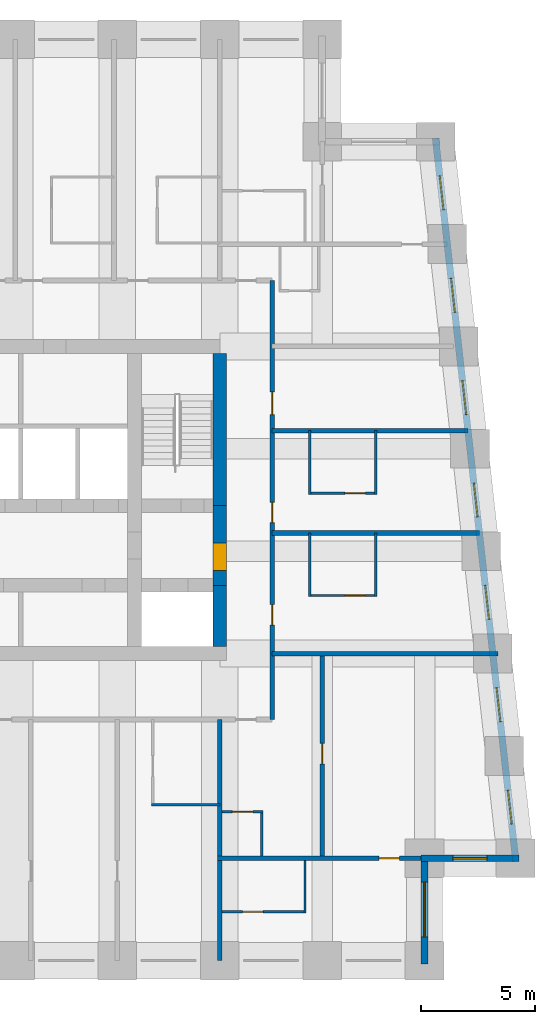
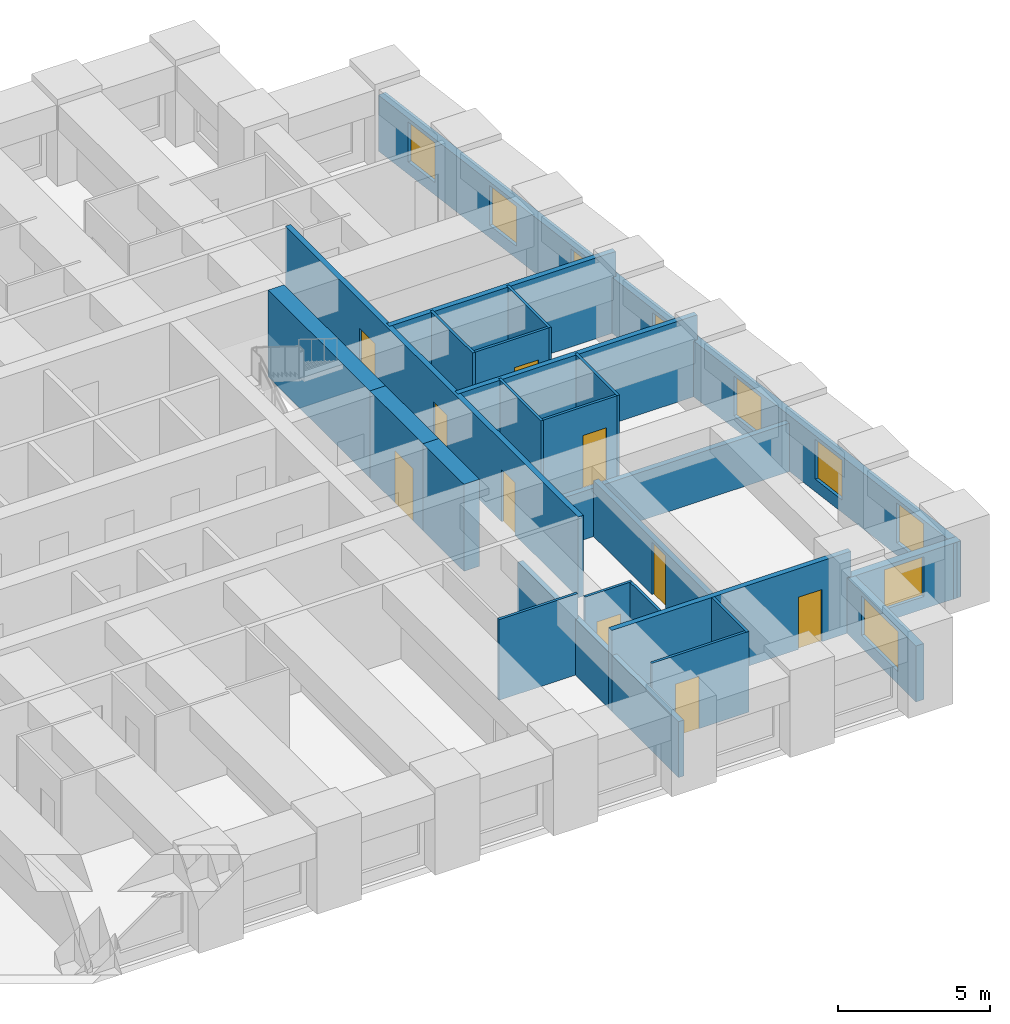
# One storey, part 5 of 8: 24 walls, 10 doors, 9 windows, 19 openings.
"""IFC4 building model written with IfcOpenShell, lengths in metres."""

from ifc_helpers import new_model, si_unit, direction, frame, frame_2d, origin, place, context, subcontext, project, spatial, rectangle, extrude, material, layer, layer_set, type_object, element, fill, save


model = new_model("IFC4")

# Units and contexts
model_context = context("Model", 3, precision=1e-05, world=origin(), true_north=direction((0.0, 1.0)))
body_context = subcontext(model_context, "Body", "Model", "MODEL_VIEW")
ifc_project = project(units=[si_unit("LENGTHUNIT", "METRE"), si_unit("AREAUNIT", "SQUARE_METRE"), si_unit("VOLUMEUNIT", "CUBIC_METRE"), si_unit("PLANEANGLEUNIT", "RADIAN"), si_unit("MASSUNIT", "GRAM", prefix="KILO")], contexts=[model_context])

# Site, building, storey
site_placement = place(None, origin())
site = spatial("IfcSite", under=ifc_project, at=site_placement, CompositionType="ELEMENT")
building_placement = place(site_placement, origin())
building = spatial("IfcBuilding", under=site, at=building_placement, Name="Kilele Tower Hotel", CompositionType="ELEMENT")
storey_placement = place(building_placement, frame((0.0, 0.0, 190.39990234375)))
storey = spatial("IfcBuildingStorey", under=building, at=storey_placement, Name="L49", CompositionType="ELEMENT", Elevation=190.39990234375)

# Walls
ifc_material_1 = material(Name="Moisture-resistant board")
ifc_layer_1 = layer(ifc_material_1, 0.10009765625)
ifc_layer_set_1 = layer_set([ifc_layer_1], Name="Moisture-resistant board")
wall_type_1 = type_object("IfcWallType", Name="Bathroom partition 100", PredefinedType="PLUMBINGWALL", material=ifc_layer_set_1)
wall_1_placement = place(storey_placement, frame((33.0, 6.85009765625, 0.0), z_axis=(0.0, 0.0, 1.0), x_axis=(1.0, 0.0, 0.0)))
element("IfcWall", 1, at=wall_1_placement, inside=storey, type_object=wall_type_1, Name="Bathroom partition 100 L49", PredefinedType="PLUMBINGWALL", context=body_context, shape_type="SweptSolid", body=[
    extrude(rectangle(XDim=3.0, YDim=0.10009765625, at=frame_2d((1.5, 0.0))), origin(), (0.0, 0.0, 1.0), 3.25),
])
for number, where, z_axis, x_axis, name in (
    (2, (39.949951171875, 16.0, 0.0), (0.0, 0.0, 1.0), (0.0, 1.0, 0.0), "Bathroom partition 100 L49"),
    (3, (42.85009765625, 16.0, 0.0), (0.0, 0.0, 1.0), (0.0, 1.0, 0.0), "Bathroom partition 100 L49"),
):
    element("IfcWall", number, at=place(storey_placement, frame(where, z_axis=z_axis, x_axis=x_axis)), inside=storey, type_object=wall_type_1, Name=name, PredefinedType="PLUMBINGWALL", context=body_context, shape_type="SweptSolid", body=[
        extrude(rectangle(XDim=2.800048828125, YDim=0.10009765625, at=frame_2d((1.39990234375, 0.0))), origin(), (0.0, 0.0, 1.0), 3.25),
    ])

# Wall, opening, door
wall_2_placement = place(storey_placement, frame((39.89990234375, 16.050048828125, 0.0), z_axis=(0.0, 0.0, 1.0), x_axis=(1.0, 0.0, 0.0)))
wall_2 = element("IfcWall", 4, at=wall_2_placement, inside=storey, type_object=wall_type_1, Name="Bathroom partition 100 L49", PredefinedType="PLUMBINGWALL", context=body_context, shape_type="SweptSolid", body=[
    extrude(rectangle(XDim=3.0, YDim=0.10009765625, at=frame_2d((1.5, 0.0))), origin(), (0.0, 0.0, 1.0), 3.25),
])
opening_1_placement = place(wall_2_placement, frame((2.5, 0.0, 0.0), z_axis=(0.0, 0.0, 1.0), x_axis=(-1.0, 0.0, 0.0)))
opening_1 = element("IfcOpeningElement", 5, at=opening_1_placement, cuts=wall_2, Name="Opening D2A", PredefinedType="OPENING", context=body_context, shape_type="SweptSolid", body=[
    extrude(rectangle(XDim=0.89990234375, YDim=2.10009765625, at=frame_2d((0.449951171875, 1.050048828125))), frame((0.0, 0.06005859375, 0.0), z_axis=(0.0, -1.0, 0.0), x_axis=(1.0, 0.0, 0.0)), (0.0, 0.0, 1.0), 0.1201171875),
])
ifc_material_2 = material(Name="Timber door leaf in hardwood frame", Category="wood")
door_type_1 = type_object("IfcDoorType", Name="Bathroom door 900", OperationType="SINGLE_SWING_LEFT", PredefinedType="DOOR", material=ifc_material_2)
door_1_placement = place(opening_1_placement, origin())
door_1 = element("IfcDoor", 6, at=door_1_placement, inside=storey, type_object=door_type_1, Name="Bathroom door 4906B", OperationType="SINGLE_SWING_LEFT", OverallHeight=2.10009765625, OverallWidth=0.89990234375, PredefinedType="DOOR", context=body_context, shape_type="SweptSolid", body=[
    extrude(rectangle(XDim=0.89990234375, YDim=2.10009765625, at=frame_2d((0.449951171875, 1.050048828125))), frame((0.0, 0.02490234375, 0.0), z_axis=(0.0, -1.0, 0.0), x_axis=(1.0, 0.0, 0.0)), (0.0, 0.0, 1.0), 0.050048828125),
])
fill(opening_1, door_1)

# Walls
for number, where, z_axis, x_axis, name in (
    (7, (39.949951171875, 20.5, 0.0), (0.0, 0.0, 1.0), (0.0, 1.0, 0.0), "Bathroom partition 100 L49"),
    (8, (42.85009765625, 20.5, 0.0), (0.0, 0.0, 1.0), (0.0, 1.0, 0.0), "Bathroom partition 100 L49"),
):
    element("IfcWall", number, at=place(storey_placement, frame(where, z_axis=z_axis, x_axis=x_axis)), inside=storey, type_object=wall_type_1, Name=name, PredefinedType="PLUMBINGWALL", context=body_context, shape_type="SweptSolid", body=[
        extrude(rectangle(XDim=2.800048828125, YDim=0.10009765625, at=frame_2d((1.39990234375, 0.0))), origin(), (0.0, 0.0, 1.0), 3.25),
    ])

# Wall, opening, door
wall_3_placement = place(storey_placement, frame((39.89990234375, 20.550048828125, 0.0), z_axis=(0.0, 0.0, 1.0), x_axis=(1.0, 0.0, 0.0)))
wall_3 = element("IfcWall", 9, at=wall_3_placement, inside=storey, type_object=wall_type_1, Name="Bathroom partition 100 L49", PredefinedType="PLUMBINGWALL", context=body_context, shape_type="SweptSolid", body=[
    extrude(rectangle(XDim=3.0, YDim=0.10009765625, at=frame_2d((1.5, 0.0))), origin(), (0.0, 0.0, 1.0), 3.25),
])
opening_2_placement = place(wall_3_placement, frame((2.5, 0.0, 0.0), z_axis=(0.0, 0.0, 1.0), x_axis=(-1.0, 0.0, 0.0)))
opening_2 = element("IfcOpeningElement", 10, at=opening_2_placement, cuts=wall_3, Name="Opening D2A", PredefinedType="OPENING", context=body_context, shape_type="SweptSolid", body=[
    extrude(rectangle(XDim=0.89990234375, YDim=2.10009765625, at=frame_2d((0.449951171875, 1.050048828125))), frame((0.0, 0.06005859375, 0.0), z_axis=(0.0, -1.0, 0.0), x_axis=(1.0, 0.0, 0.0)), (0.0, 0.0, 1.0), 0.1201171875),
])
door_2_placement = place(opening_2_placement, origin())
door_2 = element("IfcDoor", 11, at=door_2_placement, inside=storey, type_object=door_type_1, Name="Bathroom door 4907B", OperationType="SINGLE_SWING_LEFT", OverallHeight=2.10009765625, OverallWidth=0.89990234375, PredefinedType="DOOR", context=body_context, shape_type="SweptSolid", body=[
    extrude(rectangle(XDim=0.89990234375, YDim=2.10009765625, at=frame_2d((0.449951171875, 1.050048828125))), frame((0.0, 0.02490234375, 0.0), z_axis=(0.0, -1.0, 0.0), x_axis=(1.0, 0.0, 0.0)), (0.0, 0.0, 1.0), 0.050048828125),
])
fill(opening_2, door_2)

# Wall
wall_4_placement = place(storey_placement, frame((37.85009765625, 4.60009765625, 0.0), z_axis=(0.0, 0.0, 1.0), x_axis=(0.0, 1.0, 0.0)))
element("IfcWall", 12, at=wall_4_placement, inside=storey, type_object=wall_type_1, Name="Bathroom partition 100 L49", PredefinedType="PLUMBINGWALL", context=body_context, shape_type="SweptSolid", body=[
    extrude(rectangle(XDim=2.0, YDim=0.10009765625, at=frame_2d((1.0, 0.0))), origin(), (0.0, 0.0, 1.0), 3.25),
])

# Wall, opening, door
wall_5_placement = place(storey_placement, frame((36.10009765625, 6.550048828125, 0.0), z_axis=(0.0, 0.0, 1.0), x_axis=(1.0, 0.0, 0.0)))
wall_5 = element("IfcWall", 13, at=wall_5_placement, inside=storey, type_object=wall_type_1, Name="Bathroom partition 100 L49", PredefinedType="PLUMBINGWALL", context=body_context, shape_type="SweptSolid", body=[
    extrude(rectangle(XDim=1.7998046875, YDim=0.10009765625, at=frame_2d((0.89990234375, 0.0))), origin(), (0.0, 0.0, 1.0), 3.25),
])
opening_3_placement = place(wall_5_placement, frame((0.449951171875, 0.0, 0.0)))
opening_3 = element("IfcOpeningElement", 14, at=opening_3_placement, cuts=wall_5, Name="Opening D2A", PredefinedType="OPENING", context=body_context, shape_type="SweptSolid", body=[
    extrude(rectangle(XDim=0.89990234375, YDim=2.10009765625, at=frame_2d((0.449951171875, 1.050048828125))), frame((0.0, 0.06005859375, 0.0), z_axis=(0.0, -1.0, 0.0), x_axis=(1.0, 0.0, 0.0)), (0.0, 0.0, 1.0), 0.1201171875),
])
door_3_placement = place(opening_3_placement, origin())
door_3 = element("IfcDoor", 15, at=door_3_placement, inside=storey, type_object=door_type_1, Name="Bathroom door 4919P", OperationType="SINGLE_SWING_LEFT", OverallHeight=2.10009765625, OverallWidth=0.89990234375, PredefinedType="DOOR", context=body_context, shape_type="SweptSolid", body=[
    extrude(rectangle(XDim=0.89990234375, YDim=2.10009765625, at=frame_2d((0.449951171875, 1.050048828125))), frame((0.0, 0.02490234375, 0.0), z_axis=(0.0, -1.0, 0.0), x_axis=(1.0, 0.0, 0.0)), (0.0, 0.0, 1.0), 0.050048828125),
])
fill(opening_3, door_3)

# Wall
wall_6_placement = place(storey_placement, frame((39.75, 4.39990234375, 0.0), z_axis=(0.0, 0.0, 1.0), x_axis=(0.0, -1.0, 0.0)))
element("IfcWall", 16, at=wall_6_placement, inside=storey, type_object=wall_type_1, Name="Bathroom partition 100 L49", PredefinedType="PLUMBINGWALL", context=body_context, shape_type="SweptSolid", body=[
    extrude(rectangle(XDim=2.2998046875, YDim=0.10009765625, at=frame_2d((1.14990234375, 0.0))), origin(), (0.0, 0.0, 1.0), 3.25),
])

# Wall, opening, door
wall_7_placement = place(storey_placement, frame((36.10009765625, 2.14990234375, 0.0), z_axis=(0.0, 0.0, 1.0), x_axis=(1.0, 0.0, 0.0)))
wall_7 = element("IfcWall", 17, at=wall_7_placement, inside=storey, type_object=wall_type_1, Name="Bathroom partition 100 L49", PredefinedType="PLUMBINGWALL", context=body_context, shape_type="SweptSolid", body=[
    extrude(rectangle(XDim=3.699951171875, YDim=0.10009765625, at=frame_2d((1.85009765625, 0.0))), origin(), (0.0, 0.0, 1.0), 3.25),
])
opening_4_placement = place(wall_7_placement, frame((1.7998046875, 0.0, 0.0), z_axis=(0.0, 0.0, 1.0), x_axis=(-1.0, 0.0, 0.0)))
opening_4 = element("IfcOpeningElement", 18, at=opening_4_placement, cuts=wall_7, Name="Opening D2A", PredefinedType="OPENING", context=body_context, shape_type="SweptSolid", body=[
    extrude(rectangle(XDim=0.89990234375, YDim=2.10009765625, at=frame_2d((0.449951171875, 1.050048828125))), frame((0.0, 0.06005859375, 0.0), z_axis=(0.0, -1.0, 0.0), x_axis=(1.0, 0.0, 0.0)), (0.0, 0.0, 1.0), 0.1201171875),
])
door_4_placement = place(opening_4_placement, origin())
door_4 = element("IfcDoor", 19, at=door_4_placement, inside=storey, type_object=door_type_1, Name="Bathroom door 4921B", OperationType="SINGLE_SWING_RIGHT", OverallHeight=2.10009765625, OverallWidth=0.89990234375, PredefinedType="DOOR", context=body_context, shape_type="SweptSolid", body=[
    extrude(rectangle(XDim=0.89990234375, YDim=2.10009765625, at=frame_2d((0.449951171875, 1.050048828125))), frame((0.0, 0.02490234375, 0.0), z_axis=(0.0, -1.0, 0.0), x_axis=(1.0, 0.0, 0.0)), (0.0, 0.0, 1.0), 0.050048828125),
])
fill(opening_4, door_4)

# Wall
ifc_material_3 = material(Name="Concrete C70/85", Category="concrete")
ifc_layer_2 = layer(ifc_material_3, 0.60009765625)
ifc_layer_set_2 = layer_set([ifc_layer_2], Name="Concrete C70/85")
wall_type_2 = type_object("IfcWallType", Name="Core wall 600 C70/85", PredefinedType="SHEAR", material=ifc_layer_set_2)
wall_8_placement = place(storey_placement, frame((36.0, 13.800048828125, 0.0), z_axis=(0.0, 0.0, 1.0), x_axis=(0.0, 1.0, 0.0)))
element("IfcWall", 20, at=wall_8_placement, inside=storey, type_object=wall_type_2, Name="Core wall E1 L49", PredefinedType="SHEAR", context=body_context, shape_type="SweptSolid", body=[
    extrude(rectangle(XDim=2.699951171875, YDim=0.60009765625, at=frame_2d((1.35009765625, 0.0))), origin(), (0.0, 0.0, 1.0), 3.5),
])

# Wall, opening, door
wall_9_placement = place(storey_placement, frame((36.0, 16.5, 0.0), z_axis=(0.0, 0.0, 1.0), x_axis=(0.0, 1.0, 0.0)))
wall_9 = element("IfcWall", 21, at=wall_9_placement, inside=storey, type_object=wall_type_2, Name="Core wall E2 L49", PredefinedType="SHEAR", context=body_context, shape_type="SweptSolid", body=[
    extrude(rectangle(XDim=3.5, YDim=0.60009765625, at=frame_2d((1.75, 0.0))), origin(), (0.0, 0.0, 1.0), 3.5),
])
opening_5_placement = place(wall_9_placement, frame((0.64990234375, 0.0, 0.0)))
opening_5 = element("IfcOpeningElement", 22, at=opening_5_placement, cuts=wall_9, Name="Opening D4", PredefinedType="OPENING", context=body_context, shape_type="SweptSolid", body=[
    extrude(rectangle(XDim=1.199951171875, YDim=2.10009765625, at=frame_2d((0.60009765625, 1.050048828125))), frame((0.0, 0.31005859375, 0.0), z_axis=(0.0, -1.0, 0.0), x_axis=(1.0, 0.0, 0.0)), (0.0, 0.0, 1.0), 0.6201171875),
])
ifc_material_4 = material(Name="Timber door leaf in hardwood frame", Category="wood")
door_type_2 = type_object("IfcDoorType", Name="Firefighting lobby door 1200", OperationType="SINGLE_SWING_LEFT", PredefinedType="DOOR", material=ifc_material_4)
door_5_placement = place(opening_5_placement, origin())
door_5 = element("IfcDoor", 23, at=door_5_placement, inside=storey, type_object=door_type_2, Name="Lobby door L49", OperationType="SINGLE_SWING_LEFT", OverallHeight=2.10009765625, OverallWidth=1.199951171875, PredefinedType="DOOR", context=body_context, shape_type="SweptSolid", body=[
    extrude(rectangle(XDim=1.199951171875, YDim=2.10009765625, at=frame_2d((0.60009765625, 1.050048828125))), frame((0.0, 0.2998046875, 0.0), z_axis=(0.0, -1.0, 0.0), x_axis=(1.0, 0.0, 0.0)), (0.0, 0.0, 1.0), 0.599609375),
])
fill(opening_5, door_5)

# Wall
wall_10_placement = place(storey_placement, frame((36.0, 20.0, 0.0), z_axis=(0.0, 0.0, 1.0), x_axis=(0.0, 1.0, 0.0)))
element("IfcWall", 24, at=wall_10_placement, inside=storey, type_object=wall_type_2, Name="Core wall E3 L49", PredefinedType="SHEAR", context=body_context, shape_type="SweptSolid", body=[
    extrude(rectangle(XDim=6.699951171875, YDim=0.60009765625, at=frame_2d((3.35009765625, 0.0))), origin(), (0.0, 0.0, 1.0), 3.5),
])

# Wall, openings, doors
ifc_material_5 = material(Name="Blockwork, plastered both sides", Category="masonry")
ifc_layer_3 = layer(ifc_material_5, 0.199951171875)
ifc_layer_set_3 = layer_set([ifc_layer_3], Name="Blockwork, plastered both sides")
wall_type_3 = type_object("IfcWallType", Name="Corridor wall 200", PredefinedType="PARTITIONING", material=ifc_layer_set_3)
wall_11_placement = place(storey_placement, frame((38.300048828125, 10.60009765625, 0.0), z_axis=(0.0, 0.0, 1.0), x_axis=(0.0, 1.0, 0.0)))
wall_11 = element("IfcWall", 25, at=wall_11_placement, inside=storey, type_object=wall_type_3, Name="Corridor wall 200 L49", PredefinedType="PARTITIONING", context=body_context, shape_type="SweptSolid", body=[
    extrude(rectangle(XDim=19.2998046875, YDim=0.199951171875, at=frame_2d((9.64990234375, 0.0))), origin(), (0.0, 0.0, 1.0), 3.25),
])
opening_6_placement = place(wall_11_placement, frame((5.0498046875, 0.0, 0.0), z_axis=(0.0, 0.0, 1.0), x_axis=(-1.0, 0.0, 0.0)))
opening_6 = element("IfcOpeningElement", 26, at=opening_6_placement, cuts=wall_11, Name="Opening D1", PredefinedType="OPENING", context=body_context, shape_type="SweptSolid", body=[
    extrude(rectangle(XDim=0.89990234375, YDim=2.10009765625, at=frame_2d((0.449951171875, 1.050048828125))), frame((0.0, 0.10986328125, 0.0), z_axis=(0.0, -1.0, 0.0), x_axis=(1.0, 0.0, 0.0)), (0.0, 0.0, 1.0), 0.219970703125),
])
opening_7_placement = place(wall_11_placement, frame((9.5498046875, 0.0, 0.0), z_axis=(0.0, 0.0, 1.0), x_axis=(-1.0, 0.0, 0.0)))
opening_7 = element("IfcOpeningElement", 27, at=opening_7_placement, cuts=wall_11, Name="Opening D1", PredefinedType="OPENING", context=body_context, shape_type="SweptSolid", body=[
    extrude(rectangle(XDim=0.89990234375, YDim=2.10009765625, at=frame_2d((0.449951171875, 1.050048828125))), frame((0.0, 0.10986328125, 0.0), z_axis=(0.0, -1.0, 0.0), x_axis=(1.0, 0.0, 0.0)), (0.0, 0.0, 1.0), 0.219970703125),
])
opening_8_placement = place(wall_11_placement, frame((14.39990234375, 0.0, 0.0), z_axis=(0.0, 0.0, 1.0), x_axis=(-1.0, 0.0, 0.0)))
opening_8 = element("IfcOpeningElement", 28, at=opening_8_placement, cuts=wall_11, Name="Opening D8", PredefinedType="OPENING", context=body_context, shape_type="SweptSolid", body=[
    extrude(rectangle(XDim=1.0, YDim=2.10009765625, at=frame_2d((0.5, 1.050048828125))), frame((0.0, 0.10986328125, 0.0), z_axis=(0.0, -1.0, 0.0), x_axis=(1.0, 0.0, 0.0)), (0.0, 0.0, 1.0), 0.219970703125),
])
ifc_material_6 = material(Name="Timber door leaf in hardwood frame", Category="wood")
door_type_3 = type_object("IfcDoorType", Name="Door 1000", OperationType="SINGLE_SWING_LEFT", PredefinedType="DOOR", material=ifc_material_6)
door_6_placement = place(opening_8_placement, origin())
door_6 = element("IfcDoor", 29, at=door_6_placement, inside=storey, type_object=door_type_3, Name="Room entrance 4908", OperationType="SINGLE_SWING_RIGHT", OverallHeight=2.10009765625, OverallWidth=1.0, PredefinedType="DOOR", context=body_context, shape_type="SweptSolid", body=[
    extrude(rectangle(XDim=1.0, YDim=2.10009765625, at=frame_2d((0.5, 1.050048828125))), frame((0.0, 0.02490234375, 0.0), z_axis=(0.0, -1.0, 0.0), x_axis=(1.0, 0.0, 0.0)), (0.0, 0.0, 1.0), 0.050048828125),
])
fill(opening_8, door_6)
ifc_material_7 = material(Name="Timber door leaf in hardwood frame", Category="wood")
door_type_4 = type_object("IfcDoorType", Name="Guest room entrance door 900", OperationType="SINGLE_SWING_LEFT", PredefinedType="DOOR", material=ifc_material_7)
door_7_placement = place(opening_6_placement, origin())
door_7 = element("IfcDoor", 30, at=door_7_placement, inside=storey, type_object=door_type_4, Name="Room entrance 4906", OperationType="SINGLE_SWING_RIGHT", OverallHeight=2.10009765625, OverallWidth=0.89990234375, PredefinedType="DOOR", context=body_context, shape_type="SweptSolid", body=[
    extrude(rectangle(XDim=0.89990234375, YDim=2.10009765625, at=frame_2d((0.449951171875, 1.050048828125))), frame((0.0, 0.02490234375, 0.0), z_axis=(0.0, -1.0, 0.0), x_axis=(1.0, 0.0, 0.0)), (0.0, 0.0, 1.0), 0.050048828125),
])
fill(opening_6, door_7)
door_8_placement = place(opening_7_placement, origin())
door_8 = element("IfcDoor", 31, at=door_8_placement, inside=storey, type_object=door_type_4, Name="Room entrance 4907", OperationType="SINGLE_SWING_RIGHT", OverallHeight=2.10009765625, OverallWidth=0.89990234375, PredefinedType="DOOR", context=body_context, shape_type="SweptSolid", body=[
    extrude(rectangle(XDim=0.89990234375, YDim=2.10009765625, at=frame_2d((0.449951171875, 1.050048828125))), frame((0.0, 0.02490234375, 0.0), z_axis=(0.0, -1.0, 0.0), x_axis=(1.0, 0.0, 0.0)), (0.0, 0.0, 1.0), 0.050048828125),
])
fill(opening_7, door_8)

# Wall, opening, door
ifc_material_8 = material(Name="Blockwork, plastered both sides", Category="masonry")
ifc_layer_4 = layer(ifc_material_8, 0.199951171875)
ifc_layer_set_4 = layer_set([ifc_layer_4], Name="Blockwork, plastered both sides")
wall_type_4 = type_object("IfcWallType", Name="Partition wall 200", PredefinedType="PARTITIONING", material=ifc_layer_set_4)
wall_12_placement = place(storey_placement, frame((40.5, 4.60009765625, 0.0), z_axis=(0.0, 0.0, 1.0), x_axis=(0.0, 1.0, 0.0)))
wall_12 = element("IfcWall", 32, at=wall_12_placement, inside=storey, type_object=wall_type_4, Name="Partition wall 200 L49", PredefinedType="PARTITIONING", context=body_context, shape_type="SweptSolid", body=[
    extrude(rectangle(XDim=8.7998046875, YDim=0.199951171875, at=frame_2d((4.39990234375, 0.0))), origin(), (0.0, 0.0, 1.0), 2.25),
])
opening_9_placement = place(wall_12_placement, frame((4.050048828125, 0.0, 0.0)))
opening_9 = element("IfcOpeningElement", 33, at=opening_9_placement, cuts=wall_12, Name="Opening D3", PredefinedType="OPENING", context=body_context, shape_type="SweptSolid", body=[
    extrude(rectangle(XDim=0.89990234375, YDim=2.10009765625, at=frame_2d((0.449951171875, 1.050048828125))), frame((0.0, 0.10986328125, 0.0), z_axis=(0.0, -1.0, 0.0), x_axis=(1.0, 0.0, 0.0)), (0.0, 0.0, 1.0), 0.219970703125),
])
ifc_material_9 = material(Name="Timber door leaf in hardwood frame", Category="wood")
door_type_5 = type_object("IfcDoorType", Name="Suite internal door 900", OperationType="SINGLE_SWING_LEFT", PredefinedType="DOOR", material=ifc_material_9)
door_9_placement = place(opening_9_placement, origin())
door_9 = element("IfcDoor", 34, at=door_9_placement, inside=storey, type_object=door_type_5, Name="Suite door 4920", OperationType="SINGLE_SWING_RIGHT", OverallHeight=2.10009765625, OverallWidth=0.89990234375, PredefinedType="DOOR", context=body_context, shape_type="SweptSolid", body=[
    extrude(rectangle(XDim=0.89990234375, YDim=2.10009765625, at=frame_2d((0.449951171875, 1.050048828125))), frame((0.0, 0.02490234375, 0.0), z_axis=(0.0, -1.0, 0.0), x_axis=(1.0, 0.0, 0.0)), (0.0, 0.0, 1.0), 0.050048828125),
])
fill(opening_9, door_9)

# Walls
ifc_material_10 = material(Name="Blockwork, plastered both sides", Category="masonry")
ifc_layer_5 = layer(ifc_material_10, 0.199951171875)
ifc_layer_set_5 = layer_set([ifc_layer_5], Name="Blockwork, plastered both sides")
wall_type_5 = type_object("IfcWallType", Name="Party wall 200", PredefinedType="PARTITIONING", material=ifc_layer_set_5)
wall_13_placement = place(storey_placement, frame((38.300048828125, 18.800048828125, 0.0), z_axis=(0.0, 0.0, 1.0), x_axis=(1.0, 0.0, 0.0)))
element("IfcWall", 35, at=wall_13_placement, inside=storey, type_object=wall_type_5, Name="Party wall 200 L49", PredefinedType="PARTITIONING", context=body_context, shape_type="SweptSolid", body=[
    extrude(rectangle(XDim=9.110107421875, YDim=0.199951171875, at=frame_2d((4.55517578125, 0.0))), origin(), (0.0, 0.0, 1.0), 3.25),
])
wall_14_placement = place(storey_placement, frame((38.300048828125, 23.300048828125, 0.0), z_axis=(0.0, 0.0, 1.0), x_axis=(1.0, 0.0, 0.0)))
element("IfcWall", 36, at=wall_14_placement, inside=storey, type_object=wall_type_5, Name="Party wall 200 L49", PredefinedType="PARTITIONING", context=body_context, shape_type="SweptSolid", body=[
    extrude(rectangle(XDim=8.610107421875, YDim=0.199951171875, at=frame_2d((4.30517578125, 0.0))), origin(), (0.0, 0.0, 1.0), 3.25),
])
wall_15_placement = place(storey_placement, frame((38.300048828125, 13.5, 0.0), z_axis=(0.0, 0.0, 1.0), x_axis=(1.0, 0.0, 0.0)))
element("IfcWall", 37, at=wall_15_placement, inside=storey, type_object=wall_type_5, Name="Party wall 200 L49", PredefinedType="PARTITIONING", context=body_context, shape_type="SweptSolid", body=[
    extrude(rectangle(XDim=9.921142578125, YDim=0.199951171875, at=frame_2d((4.96044921875, 0.0))), origin(), (0.0, 0.0, 1.0), 1.9501953125),
])
wall_16_placement = place(storey_placement, frame((36.0, 10.60009765625, 0.0), z_axis=(0.0, 0.0, 1.0), x_axis=(0.0, -1.0, 0.0)))
element("IfcWall", 38, at=wall_16_placement, inside=storey, type_object=wall_type_5, Name="Party wall 200 L49", PredefinedType="PARTITIONING", context=body_context, shape_type="SweptSolid", body=[
    extrude(rectangle(XDim=10.60009765625, YDim=0.199951171875, at=frame_2d((5.300048828125, 0.0))), origin(), (0.0, 0.0, 1.0), 2.25),
])

# Wall, opening, door
wall_17_placement = place(storey_placement, frame((35.89990234375, 4.5, 0.0), z_axis=(0.0, 0.0, 1.0), x_axis=(1.0, 0.0, 0.0)))
wall_17 = element("IfcWall", 39, at=wall_17_placement, inside=storey, type_object=wall_type_5, Name="Party wall 200 L49", PredefinedType="PARTITIONING", context=body_context, shape_type="SweptSolid", body=[
    extrude(rectangle(XDim=9.10009765625, YDim=0.199951171875, at=frame_2d((4.550048828125, 0.0))), origin(), (0.0, 0.0, 1.0), 3.25),
])
opening_10_placement = place(wall_17_placement, frame((7.10009765625, 0.0, 0.0)))
opening_10 = element("IfcOpeningElement", 40, at=opening_10_placement, cuts=wall_17, Name="Opening D3", PredefinedType="OPENING", context=body_context, shape_type="SweptSolid", body=[
    extrude(rectangle(XDim=0.89990234375, YDim=2.10009765625, at=frame_2d((0.449951171875, 1.050048828125))), frame((0.0, 0.10986328125, 0.0), z_axis=(0.0, -1.0, 0.0), x_axis=(1.0, 0.0, 0.0)), (0.0, 0.0, 1.0), 0.219970703125),
])
door_10_placement = place(opening_10_placement, origin())
door_10 = element("IfcDoor", 41, at=door_10_placement, inside=storey, type_object=door_type_5, Name="Suite door 4921", OperationType="SINGLE_SWING_RIGHT", OverallHeight=2.10009765625, OverallWidth=0.89990234375, PredefinedType="DOOR", context=body_context, shape_type="SweptSolid", body=[
    extrude(rectangle(XDim=0.89990234375, YDim=2.10009765625, at=frame_2d((0.449951171875, 1.050048828125))), frame((0.0, 0.02490234375, 0.0), z_axis=(0.0, -1.0, 0.0), x_axis=(1.0, 0.0, 0.0)), (0.0, 0.0, 1.0), 0.050048828125),
])
fill(opening_10, door_10)

# Wall, opening, window
ifc_material_11 = material(Name="Concrete C40/50 precast", Category="concrete")
ifc_layer_6 = layer(ifc_material_11, 0.260009765625, Name="Precast backing", Category="LoadBearing")
ifc_material_12 = material(Name="Reconstituted stone finish", Category="masonry")
ifc_layer_7 = layer(ifc_material_12, 0.0400390625, Name="Face mix", Category="Finish")
ifc_layer_set_6 = layer_set([ifc_layer_6, ifc_layer_7], Name="Precast concrete C40/50, reconstituted stone finish")
wall_type_6 = type_object("IfcWallType", Name="Precast stone facade wall 300", PredefinedType="STANDARD", material=ifc_layer_set_6)
wall_18_placement = place(storey_placement, frame((45.0, -0.14990234375, 0.0), z_axis=(0.0, 0.0, 1.0), x_axis=(0.0, 1.0, 0.0)))
wall_18 = element("IfcWall", 42, at=wall_18_placement, inside=storey, type_object=wall_type_6, Name="Facade wall L49 edge 4", PredefinedType="STANDARD", context=body_context, shape_type="SweptSolid", body=[
    extrude(rectangle(XDim=4.7998046875, YDim=0.300048828125, at=frame_2d((2.39990234375, 0.0))), origin(), (0.0, 0.0, 1.0), 2.25),
])
opening_11_placement = place(wall_18_placement, frame((1.199951171875, 0.0, 0.5)))
opening_11 = element("IfcOpeningElement", 43, at=opening_11_placement, cuts=wall_18, Name="Opening W3", PredefinedType="OPENING", context=body_context, shape_type="SweptSolid", body=[
    extrude(rectangle(XDim=2.39990234375, YDim=1.60009765625, at=frame_2d((1.199951171875, 0.800048828125))), frame((0.0, 0.159912109375, 0.0), z_axis=(0.0, -1.0, 0.0), x_axis=(1.0, 0.0, 0.0)), (0.0, 0.0, 1.0), 0.320068359375),
])
ifc_material_13 = material(Name="Aluminium frame, clear double glazing", Category="aluminium")
window_type_1 = type_object("IfcWindowType", Name="Window W3 2400 x 1600", PartitioningType="SINGLE_PANEL", PredefinedType="WINDOW", material=ifc_material_13)
window_1_placement = place(opening_11_placement, origin())
window_1 = element("IfcWindow", 44, at=window_1_placement, inside=storey, type_object=window_type_1, Name="Window L49", OverallHeight=1.60009765625, OverallWidth=2.39990234375, PartitioningType="SINGLE_PANEL", PredefinedType="WINDOW", context=body_context, shape_type="SweptSolid", body=[
    extrude(rectangle(XDim=2.39990234375, YDim=1.60009765625, at=frame_2d((1.199951171875, 0.800048828125))), frame((0.0, 0.030029296875, 0.0), z_axis=(0.0, -1.0, 0.0), x_axis=(1.0, 0.0, 0.0)), (0.0, 0.0, 1.0), 0.06005859375),
])
fill(opening_11, window_1)

wall_19_placement = place(storey_placement, frame((44.85009765625, 4.5, 0.0), z_axis=(0.0, 0.0, 1.0), x_axis=(1.0, 0.0, 0.0)))
wall_19 = element("IfcWall", 45, at=wall_19_placement, inside=storey, type_object=wall_type_6, Name="Facade wall L49 edge 5", PredefinedType="STANDARD", context=body_context, shape_type="SweptSolid", body=[
    extrude(rectangle(XDim=4.2998046875, YDim=0.300048828125, at=frame_2d((2.14990234375, 0.0))), origin(), (0.0, 0.0, 1.0), 2.25),
])
opening_12_placement = place(wall_19_placement, frame((1.39990234375, 0.0, 0.5)))
opening_12 = element("IfcOpeningElement", 46, at=opening_12_placement, cuts=wall_19, Name="Opening W3", PredefinedType="OPENING", context=body_context, shape_type="SweptSolid", body=[
    extrude(rectangle(XDim=1.5, YDim=1.60009765625, at=frame_2d((0.75, 0.800048828125))), frame((0.0, 0.159912109375, 0.0), z_axis=(0.0, -1.0, 0.0), x_axis=(1.0, 0.0, 0.0)), (0.0, 0.0, 1.0), 0.320068359375),
])
ifc_material_14 = material(Name="Aluminium frame, clear double glazing", Category="aluminium")
window_type_2 = type_object("IfcWindowType", Name="Window W3 1500 x 1600", PartitioningType="SINGLE_PANEL", PredefinedType="WINDOW", material=ifc_material_14)
window_2_placement = place(opening_12_placement, origin())
window_2 = element("IfcWindow", 47, at=window_2_placement, inside=storey, type_object=window_type_2, Name="Window L49", OverallHeight=1.60009765625, OverallWidth=1.5, PartitioningType="SINGLE_PANEL", PredefinedType="WINDOW", context=body_context, shape_type="SweptSolid", body=[
    extrude(rectangle(XDim=1.5, YDim=1.60009765625, at=frame_2d((0.75, 0.800048828125))), frame((0.0, 0.030029296875, 0.0), z_axis=(0.0, -1.0, 0.0), x_axis=(1.0, 0.0, 0.0)), (0.0, 0.0, 1.0), 0.06005859375),
])
fill(opening_12, window_2)

# Wall, openings, windows
wall_20_placement = place(storey_placement, frame((49.0166015625, 4.350830078125, 0.0), z_axis=(0.0, 0.0, 1.0), x_axis=(-0.110433201132, 0.993883548555, 0.0)))
wall_20 = element("IfcWall", 48, at=wall_20_placement, inside=storey, type_object=wall_type_6, Name="Facade wall L49 edge 6", PredefinedType="STANDARD", context=body_context, shape_type="SweptSolid", body=[
    extrude(rectangle(XDim=31.994140625, YDim=0.300048828125, at=frame_2d((15.9970703125, 0.0))), origin(), (0.0, 0.0, 1.0), 2.25),
])
opening_13_placement = place(wall_20_placement, frame((1.6640625, 0.0, 0.5)))
opening_13 = element("IfcOpeningElement", 49, at=opening_13_placement, cuts=wall_20, Name="Opening W3", PredefinedType="OPENING", context=body_context, shape_type="SweptSolid", body=[
    extrude(rectangle(XDim=1.5, YDim=1.60009765625, at=frame_2d((0.75, 0.800048828125))), frame((0.0, 0.159912109375, 0.0), z_axis=(0.0, -1.0, 0.0), x_axis=(1.0, 0.0, 0.0)), (0.0, 0.0, 1.0), 0.320068359375),
])
opening_14_placement = place(wall_20_placement, frame((6.19189453125, 0.0, 0.5)))
opening_14 = element("IfcOpeningElement", 50, at=opening_14_placement, cuts=wall_20, Name="Opening W3", PredefinedType="OPENING", context=body_context, shape_type="SweptSolid", body=[
    extrude(rectangle(XDim=1.5, YDim=1.60009765625, at=frame_2d((0.75, 0.800048828125))), frame((0.0, 0.159912109375, 0.0), z_axis=(0.0, -1.0, 0.0), x_axis=(1.0, 0.0, 0.0)), (0.0, 0.0, 1.0), 0.320068359375),
])
opening_15_placement = place(wall_20_placement, frame((10.718994140625, 0.0, 0.5)))
opening_15 = element("IfcOpeningElement", 51, at=opening_15_placement, cuts=wall_20, Name="Opening W3", PredefinedType="OPENING", context=body_context, shape_type="SweptSolid", body=[
    extrude(rectangle(XDim=1.5, YDim=1.60009765625, at=frame_2d((0.75, 0.800048828125))), frame((0.0, 0.159912109375, 0.0), z_axis=(0.0, -1.0, 0.0), x_axis=(1.0, 0.0, 0.0)), (0.0, 0.0, 1.0), 0.320068359375),
])
opening_16_placement = place(wall_20_placement, frame((15.2470703125, 0.0, 0.5)))
opening_16 = element("IfcOpeningElement", 52, at=opening_16_placement, cuts=wall_20, Name="Opening W3", PredefinedType="OPENING", context=body_context, shape_type="SweptSolid", body=[
    extrude(rectangle(XDim=1.5, YDim=1.60009765625, at=frame_2d((0.75, 0.800048828125))), frame((0.0, 0.159912109375, 0.0), z_axis=(0.0, -1.0, 0.0), x_axis=(1.0, 0.0, 0.0)), (0.0, 0.0, 1.0), 0.320068359375),
])
opening_17_placement = place(wall_20_placement, frame((19.77490234375, 0.0, 0.5)))
opening_17 = element("IfcOpeningElement", 53, at=opening_17_placement, cuts=wall_20, Name="Opening W3", PredefinedType="OPENING", context=body_context, shape_type="SweptSolid", body=[
    extrude(rectangle(XDim=1.5, YDim=1.60009765625, at=frame_2d((0.75, 0.800048828125))), frame((0.0, 0.159912109375, 0.0), z_axis=(0.0, -1.0, 0.0), x_axis=(1.0, 0.0, 0.0)), (0.0, 0.0, 1.0), 0.320068359375),
])
opening_18_placement = place(wall_20_placement, frame((24.302001953125, 0.0, 0.5)))
opening_18 = element("IfcOpeningElement", 54, at=opening_18_placement, cuts=wall_20, Name="Opening W3", PredefinedType="OPENING", context=body_context, shape_type="SweptSolid", body=[
    extrude(rectangle(XDim=1.5, YDim=1.60009765625, at=frame_2d((0.75, 0.800048828125))), frame((0.0, 0.159912109375, 0.0), z_axis=(0.0, -1.0, 0.0), x_axis=(1.0, 0.0, 0.0)), (0.0, 0.0, 1.0), 0.320068359375),
])
opening_19_placement = place(wall_20_placement, frame((28.830078125, 0.0, 0.5)))
opening_19 = element("IfcOpeningElement", 55, at=opening_19_placement, cuts=wall_20, Name="Opening W3", PredefinedType="OPENING", context=body_context, shape_type="SweptSolid", body=[
    extrude(rectangle(XDim=1.5, YDim=1.60009765625, at=frame_2d((0.75, 0.800048828125))), frame((0.0, 0.159912109375, 0.0), z_axis=(0.0, -1.0, 0.0), x_axis=(1.0, 0.0, 0.0)), (0.0, 0.0, 1.0), 0.320068359375),
])
window_3_placement = place(opening_13_placement, origin())
window_3 = element("IfcWindow", 56, at=window_3_placement, inside=storey, type_object=window_type_2, Name="Window L49", OverallHeight=1.60009765625, OverallWidth=1.5, PartitioningType="SINGLE_PANEL", PredefinedType="WINDOW", context=body_context, shape_type="SweptSolid", body=[
    extrude(rectangle(XDim=1.5, YDim=1.60009765625, at=frame_2d((0.75, 0.800048828125))), frame((0.0, 0.030029296875, 0.0), z_axis=(0.0, -1.0, 0.0), x_axis=(1.0, 0.0, 0.0)), (0.0, 0.0, 1.0), 0.06005859375),
])
fill(opening_13, window_3)
window_4_placement = place(opening_14_placement, origin())
window_4 = element("IfcWindow", 57, at=window_4_placement, inside=storey, type_object=window_type_2, Name="Window L49", OverallHeight=1.60009765625, OverallWidth=1.5, PartitioningType="SINGLE_PANEL", PredefinedType="WINDOW", context=body_context, shape_type="SweptSolid", body=[
    extrude(rectangle(XDim=1.5, YDim=1.60009765625, at=frame_2d((0.75, 0.800048828125))), frame((0.0, 0.030029296875, 0.0), z_axis=(0.0, -1.0, 0.0), x_axis=(1.0, 0.0, 0.0)), (0.0, 0.0, 1.0), 0.06005859375),
])
fill(opening_14, window_4)
window_5_placement = place(opening_15_placement, origin())
window_5 = element("IfcWindow", 58, at=window_5_placement, inside=storey, type_object=window_type_2, Name="Window L49", OverallHeight=1.60009765625, OverallWidth=1.5, PartitioningType="SINGLE_PANEL", PredefinedType="WINDOW", context=body_context, shape_type="SweptSolid", body=[
    extrude(rectangle(XDim=1.5, YDim=1.60009765625, at=frame_2d((0.75, 0.800048828125))), frame((0.0, 0.030029296875, 0.0), z_axis=(0.0, -1.0, 0.0), x_axis=(1.0, 0.0, 0.0)), (0.0, 0.0, 1.0), 0.06005859375),
])
fill(opening_15, window_5)
window_6_placement = place(opening_16_placement, origin())
window_6 = element("IfcWindow", 59, at=window_6_placement, inside=storey, type_object=window_type_2, Name="Window L49", OverallHeight=1.60009765625, OverallWidth=1.5, PartitioningType="SINGLE_PANEL", PredefinedType="WINDOW", context=body_context, shape_type="SweptSolid", body=[
    extrude(rectangle(XDim=1.5, YDim=1.60009765625, at=frame_2d((0.75, 0.800048828125))), frame((0.0, 0.030029296875, 0.0), z_axis=(0.0, -1.0, 0.0), x_axis=(1.0, 0.0, 0.0)), (0.0, 0.0, 1.0), 0.06005859375),
])
fill(opening_16, window_6)
window_7_placement = place(opening_17_placement, origin())
window_7 = element("IfcWindow", 60, at=window_7_placement, inside=storey, type_object=window_type_2, Name="Window L49", OverallHeight=1.60009765625, OverallWidth=1.5, PartitioningType="SINGLE_PANEL", PredefinedType="WINDOW", context=body_context, shape_type="SweptSolid", body=[
    extrude(rectangle(XDim=1.5, YDim=1.60009765625, at=frame_2d((0.75, 0.800048828125))), frame((0.0, 0.030029296875, 0.0), z_axis=(0.0, -1.0, 0.0), x_axis=(1.0, 0.0, 0.0)), (0.0, 0.0, 1.0), 0.06005859375),
])
fill(opening_17, window_7)
window_8_placement = place(opening_18_placement, origin())
window_8 = element("IfcWindow", 61, at=window_8_placement, inside=storey, type_object=window_type_2, Name="Window L49", OverallHeight=1.60009765625, OverallWidth=1.5, PartitioningType="SINGLE_PANEL", PredefinedType="WINDOW", context=body_context, shape_type="SweptSolid", body=[
    extrude(rectangle(XDim=1.5, YDim=1.60009765625, at=frame_2d((0.75, 0.800048828125))), frame((0.0, 0.030029296875, 0.0), z_axis=(0.0, -1.0, 0.0), x_axis=(1.0, 0.0, 0.0)), (0.0, 0.0, 1.0), 0.06005859375),
])
fill(opening_18, window_8)
window_9_placement = place(opening_19_placement, origin())
window_9 = element("IfcWindow", 62, at=window_9_placement, inside=storey, type_object=window_type_2, Name="Window L49", OverallHeight=1.60009765625, OverallWidth=1.5, PartitioningType="SINGLE_PANEL", PredefinedType="WINDOW", context=body_context, shape_type="SweptSolid", body=[
    extrude(rectangle(XDim=1.5, YDim=1.60009765625, at=frame_2d((0.75, 0.800048828125))), frame((0.0, 0.030029296875, 0.0), z_axis=(0.0, -1.0, 0.0), x_axis=(1.0, 0.0, 0.0)), (0.0, 0.0, 1.0), 0.06005859375),
])
fill(opening_19, window_9)

save(model, "model.ifc")
